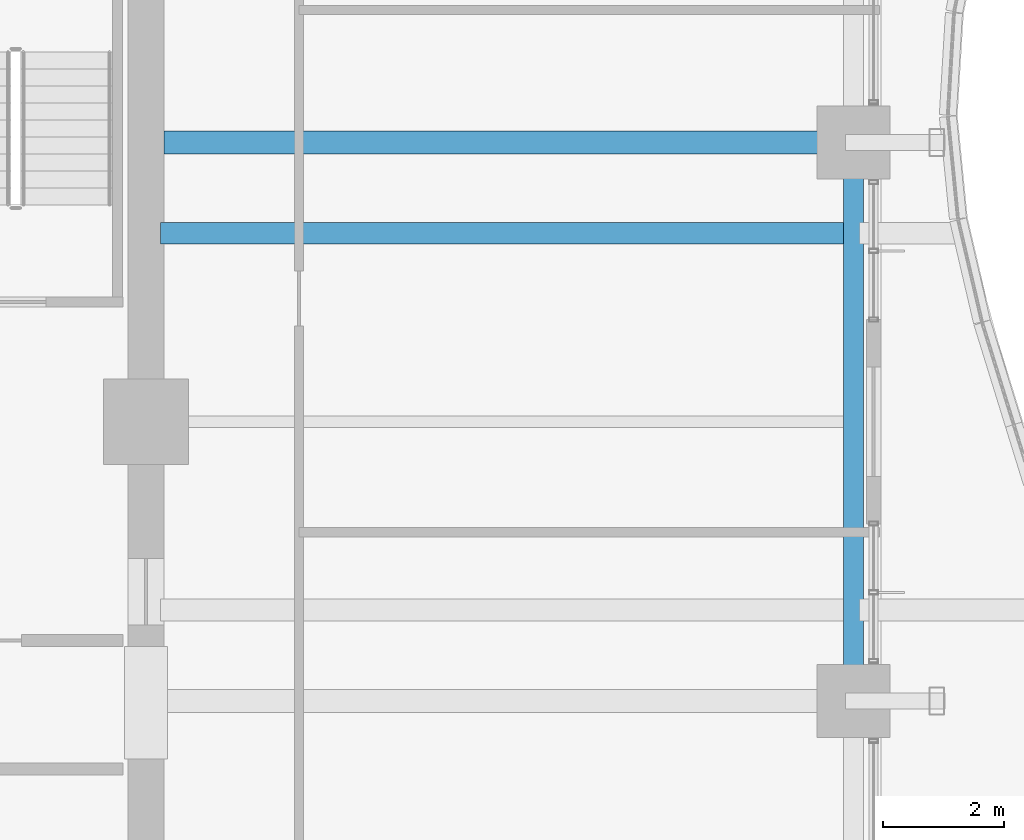
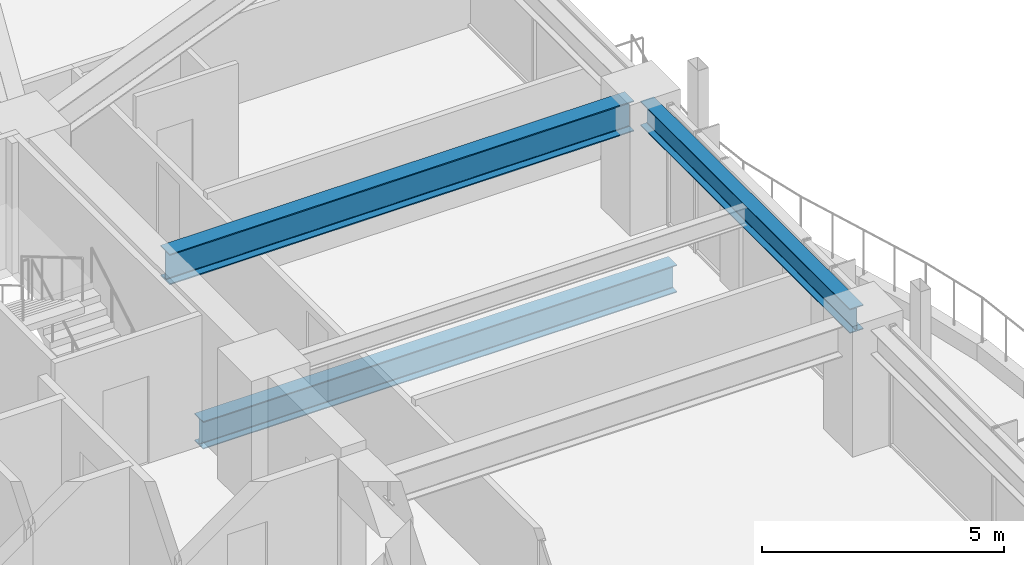
# One storey, part 15 of 36: 3 beams.
"""IFC4 building model written with IfcOpenShell, lengths in metres."""

from ifc_helpers import new_model, si_unit, direction, frame, origin, origin_2d, place, context, subcontext, project, spatial, i_section, extrude, material, material_profile, profile_set, type_object, element, save


model = new_model("IFC4")

# Units and contexts
model_context = context("Model", 3, precision=1e-05, world=origin(), true_north=direction((0.0, 1.0)))
body_context = subcontext(model_context, "Body", "Model", "MODEL_VIEW")
ifc_project = project(units=[si_unit("LENGTHUNIT", "METRE"), si_unit("AREAUNIT", "SQUARE_METRE"), si_unit("VOLUMEUNIT", "CUBIC_METRE"), si_unit("PLANEANGLEUNIT", "RADIAN"), si_unit("MASSUNIT", "GRAM", prefix="KILO")], contexts=[model_context])

# Site, building, storey
site_placement = place(None, origin())
site = spatial("IfcSite", under=ifc_project, at=site_placement, CompositionType="ELEMENT")
building_placement = place(site_placement, origin())
building = spatial("IfcBuilding", under=site, at=building_placement, Name="Kolvaren Belvedere", CompositionType="ELEMENT")
storey_placement = place(building_placement, frame((0.0, 0.0, 46.89990234375)))
storey = spatial("IfcBuildingStorey", under=building, at=storey_placement, Name="L13", CompositionType="ELEMENT", Elevation=46.89990234375)

# Beams
ifc_material_1 = material(Name="Structural steel ASTM A992 Grade 50", Category="steel")
ifc_material_profile_1 = material_profile(ifc_material_1, i_section(OverallWidth=0.35498046875, OverallDepth=0.696044921875, WebThickness=0.015380859375, FlangeThickness=0.02490234375, FilletRadius=0.02197265625, at=origin_2d()), Name="W27X146")
ifc_profile_set_1 = profile_set([ifc_material_profile_1], Name="Structural steel ASTM A992 Grade 50")
beam_type_1 = type_object("IfcBeamType", Name="BM-GIRD-W27X146", PredefinedType="BEAM", material=ifc_profile_set_1)
beam_1_placement = place(storey_placement, frame((10.139892578125, 3.10009765625, -0.587890625), z_axis=(1.0, 0.0, 0.0), x_axis=(0.0, 1.0, 0.0)))
element("IfcBeam", 1, at=beam_1_placement, inside=storey, type_object=beam_type_1, Name="L13 Balcony Interior Back-Span Girder BAL-E-2", PredefinedType="BEAM", context=body_context, shape_type="SweptSolid", body=[
    extrude(i_section(OverallWidth=0.35498046875, OverallDepth=0.696044921875, WebThickness=0.015380859375, FlangeThickness=0.02490234375, FilletRadius=0.02197265625, at=origin_2d()), origin(), (0.0, 0.0, 1.0), 11.315185546875),
])
ifc_material_2 = material(Name="Structural steel ASTM A992 Grade 50", Category="steel")
ifc_material_profile_2 = material_profile(ifc_material_2, i_section(OverallWidth=0.381103515625, OverallDepth=0.77294921875, WebThickness=0.0166015625, FlangeThickness=0.027099609375, FilletRadius=0.02392578125, at=origin_2d()), Name="W30X173")
ifc_profile_set_2 = profile_set([ifc_material_profile_2], Name="Structural steel ASTM A992 Grade 50")
beam_type_2 = type_object("IfcBeamType", Name="BM-GIRD-W30X173", PredefinedType="BEAM", material=ifc_profile_set_2)
beam_2_placement = place(storey_placement, frame((10.199951171875, 4.60009765625, 2.673583984375), z_axis=(1.0, 0.0, 0.0), x_axis=(0.0, 1.0, 0.0)))
element("IfcBeam", 2, at=beam_2_placement, inside=storey, type_object=beam_type_2, Name="L13 East Radial Girder P", PredefinedType="BEAM", context=body_context, shape_type="SweptSolid", body=[
    extrude(i_section(OverallWidth=0.381103515625, OverallDepth=0.77294921875, WebThickness=0.0166015625, FlangeThickness=0.027099609375, FilletRadius=0.02392578125, at=origin_2d()), origin(), (0.0, 0.0, 1.0), 11.080078125),
])
ifc_material_3 = material(Name="Structural steel ASTM A992 Grade 50", Category="steel")
ifc_material_profile_3 = material_profile(ifc_material_3, i_section(OverallWidth=0.324951171875, OverallDepth=0.615966796875, WebThickness=0.013916015625, FlangeThickness=0.021484375, FilletRadius=0.02001953125, at=origin_2d()), Name="W24X117")
ifc_profile_set_3 = profile_set([ifc_material_profile_3], Name="Structural steel ASTM A992 Grade 50")
beam_type_3 = type_object("IfcBeamType", Name="BM-SPAN-W24X117", PredefinedType="SPANDREL", material=ifc_profile_set_3)
beam_3_placement = place(storey_placement, frame((21.550048828125, -4.330078125, 2.752197265625), z_axis=(0.0, 1.0, 0.0), x_axis=(-1.0, 0.0, 0.0)))
element("IfcBeam", 3, at=beam_3_placement, inside=storey, type_object=beam_type_3, Name="L13 Perimeter Spandrel E2-E3", PredefinedType="SPANDREL", context=body_context, shape_type="SweptSolid", body=[
    extrude(i_section(OverallWidth=0.324951171875, OverallDepth=0.615966796875, WebThickness=0.013916015625, FlangeThickness=0.021484375, FilletRadius=0.02001953125, at=origin_2d()), origin(), (0.0, 0.0, 1.0), 8.66015625),
])

save(model, "model.ifc")
